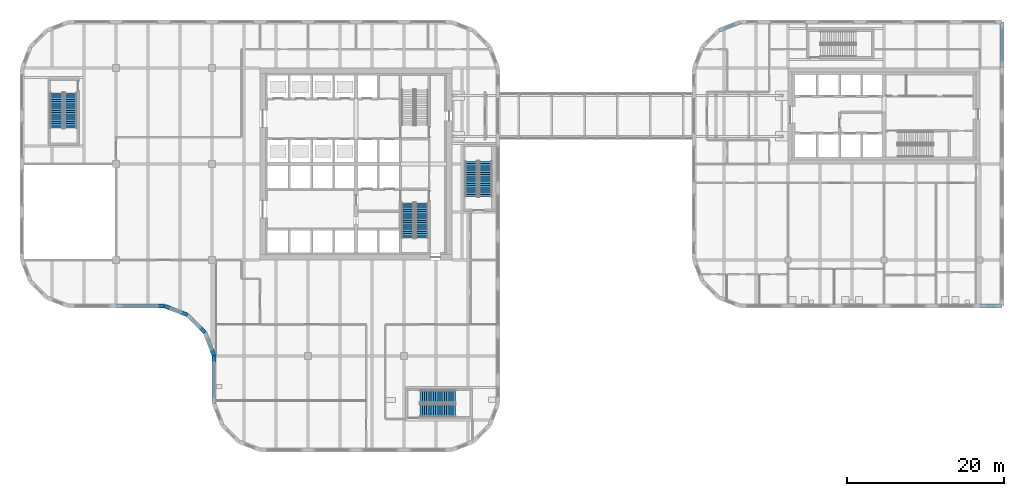
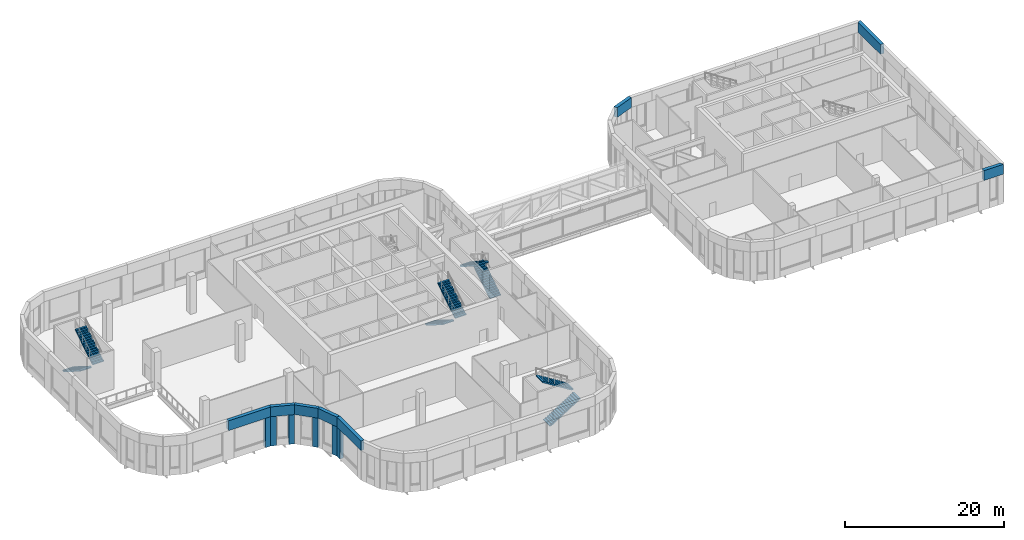
# One storey, part 31 of 36: 14 walls, 8 stair flights, 4 elements without a shape of their own.
"""IFC4 building model written with IfcOpenShell, lengths in metres."""

from ifc_helpers import new_model, si_unit, direction, frame, origin, place, context, subcontext, project, spatial, polyline, outline, extrude, faceted_brep, source, transform, mapped, material, layer, layer_set, type_object, element, aggregate, save


model = new_model("IFC4")

# Units and contexts
model_context = context("Model", 3, precision=1e-05, world=origin(), true_north=direction((0.0, 1.0)))
body_context = subcontext(model_context, "Body", "Model", "MODEL_VIEW")
ifc_project = project(units=[si_unit("LENGTHUNIT", "METRE"), si_unit("AREAUNIT", "SQUARE_METRE"), si_unit("VOLUMEUNIT", "CUBIC_METRE"), si_unit("PLANEANGLEUNIT", "RADIAN"), si_unit("MASSUNIT", "GRAM", prefix="KILO")], contexts=[model_context])

# Site, building, storey
site_placement = place(None, origin())
site = spatial("IfcSite", under=ifc_project, at=site_placement, CompositionType="ELEMENT")
building_placement = place(site_placement, origin())
building = spatial("IfcBuilding", under=site, at=building_placement, Name="Tessera Gate Towers", CompositionType="ELEMENT")
storey_placement = place(building_placement, frame((0.0, 0.0, 106.60009765625)))
storey = spatial("IfcBuildingStorey", under=building, at=storey_placement, Name="L26", CompositionType="ELEMENT", Elevation=106.60009765625)

# Walls
ifc_material_1 = material(Name="Precast concrete C60/75 white", Category="concrete")
ifc_layer = layer(ifc_material_1, 0.5)
ifc_layer_set = layer_set([ifc_layer], Name="RB1 ring band panel")
wall_type = type_object("IfcWallType", Name="RB1 ring band panel", PredefinedType="SOLIDWALL", material=ifc_layer_set)
shared_shape_1 = source(origin(), body_context, "Body", "Brep", [
    faceted_brep([(0.0, -0.25, 0.0), (0.75341796875, -0.25, 0.0), (0.75341796875, -0.25, 4.5), (0.0, -0.25, 4.5), (0.0, 0.25, 4.5), (0.800048828125, 0.25, 4.5), (0.800048828125, 0.25, 0.0), (0.0, 0.25, 0.0), (0.800048828125, 0.000244140625, 0.0), (0.800048828125, 0.000244140625, 4.5)], [[[0, 1, 2, 3]], [[4, 5, 6, 7]], [[7, 6, 8, 1, 0]], [[6, 5, 9, 8]], [[5, 4, 3, 2, 9]], [[4, 7, 0, 3]], [[1, 8, 9, 2]]]),
])
wall_1_placement = place(storey_placement, frame((17.546630859375, 18.550048828125, 0.0), z_axis=(0.0, 0.0, 1.0), x_axis=(1.0, 0.0, 0.0)))
element("IfcWall", 1, at=wall_1_placement, inside=storey, type_object=wall_type, Name="Ring band panel T1 RB1-0222", PredefinedType="SOLIDWALL", context=body_context, shape_type="MappedRepresentation", body=[
    mapped(shared_shape_1, transform((0.0, 0.0, 0.0), scale=1.0)),
])
shared_shape_2 = source(origin(), body_context, "Body", "Brep", [
    faceted_brep([(0.0, -0.25, 0.0), (6.10009765625, -0.25, 0.0), (6.10009765625, -0.25, 1.5), (0.0, -0.25, 1.5), (0.0, 0.25, 1.5), (6.146484375, 0.25, 1.5), (6.146484375, 0.25, 0.0), (0.0, 0.25, 0.0), (6.146484375, -0.000244140625, 0.0), (6.146484375, -0.000244140625, 1.5)], [[[0, 1, 2, 3]], [[4, 5, 6, 7]], [[7, 6, 8, 1, 0]], [[6, 5, 9, 8]], [[5, 4, 3, 2, 9]], [[4, 7, 0, 3]], [[1, 8, 9, 2]]]),
])
wall_2_placement = place(storey_placement, frame((12.199951171875, 18.550048828125, 4.5), z_axis=(0.0, 0.0, 1.0), x_axis=(1.0, 0.0, 0.0)))
element("IfcWall", 2, at=wall_2_placement, inside=storey, type_object=wall_type, Name="Ring band panel T1 RB1-0226", PredefinedType="SOLIDWALL", context=body_context, shape_type="MappedRepresentation", body=[
    mapped(shared_shape_2, transform((0.0, 0.0, 0.0), scale=1.0)),
])
shared_shape_3 = source(origin(), body_context, "Body", "Brep", [
    faceted_brep([(0.046630859375, -0.25, 0.0), (0.800048828125, -0.25, 0.0), (0.800048828125, -0.25, 4.5), (0.046630859375, -0.25, 4.5), (0.0, 0.25, 4.5), (0.800048828125, 0.25, 4.5), (0.800048828125, 0.25, 0.0), (0.0, 0.25, 0.0), (0.0, 0.0, 0.0), (0.0, 0.0, 4.5)], [[[0, 1, 2, 3]], [[4, 5, 6, 7]], [[7, 6, 1, 0, 8]], [[5, 4, 9, 3, 2]], [[4, 7, 8, 9]], [[8, 0, 3, 9]], [[1, 6, 5, 2]]]),
])
wall_3_placement = place(storey_placement, frame((18.346435546875, 18.550048828125, 0.0), z_axis=(0.0, 0.0, 1.0), x_axis=(0.932951894851, -0.360001058183, 0.0)))
element("IfcWall", 3, at=wall_3_placement, inside=storey, type_object=wall_type, Name="Ring band panel T1 RB1-0227", PredefinedType="SOLIDWALL", context=body_context, shape_type="MappedRepresentation", body=[
    mapped(shared_shape_3, transform((0.0, 0.0, 0.0), scale=1.0)),
])
shared_shape_4 = source(origin(), body_context, "Body", "Brep", [
    faceted_brep([(0.0, -0.25, 0.0), (0.7470703125, -0.25, 0.0), (0.7470703125, -0.25, 4.5), (0.0, -0.25, 4.5), (0.0, 0.25, 4.5), (0.800048828125, 0.25, 4.5), (0.800048828125, 0.25, 0.0), (0.0, 0.25, 0.0), (0.800048828125, 0.000244140625, 0.0), (0.800048828125, 0.000244140625, 4.5)], [[[0, 1, 2, 3]], [[4, 5, 6, 7]], [[7, 6, 8, 1, 0]], [[6, 5, 9, 8]], [[5, 4, 3, 2, 9]], [[4, 7, 0, 3]], [[1, 8, 9, 2]]]),
])
wall_4_placement = place(storey_placement, frame((20.53857421875, 17.704345703125, 0.0), z_axis=(0.0, 0.0, 1.0), x_axis=(0.93301483327, -0.3598379092, 0.0)))
element("IfcWall", 4, at=wall_4_placement, inside=storey, type_object=wall_type, Name="Ring band panel T1 RB1-0228", PredefinedType="SOLIDWALL", context=body_context, shape_type="MappedRepresentation", body=[
    mapped(shared_shape_4, transform((0.0, 0.0, 0.0), scale=1.0)),
])
shared_shape_5 = source(origin(), body_context, "Body", "Brep", [
    faceted_brep([(0.046630859375, -0.25, 0.0), (3.096435546875, -0.25, 0.0), (3.096435546875, -0.25, 1.5), (0.046630859375, -0.25, 1.5), (0.0, 0.25, 1.5), (3.1494140625, 0.25, 1.5), (3.1494140625, 0.25, 0.0), (0.0, 0.25, 0.0), (3.1494140625, -0.000244140625, 0.0), (0.0, 0.0, 0.0), (3.1494140625, -0.000244140625, 1.5), (0.0, 0.0, 1.5)], [[[0, 1, 2, 3]], [[4, 5, 6, 7]], [[7, 6, 8, 1, 0, 9]], [[6, 5, 10, 8]], [[5, 4, 11, 3, 2, 10]], [[4, 7, 9, 11]], [[9, 0, 3, 11]], [[1, 8, 10, 2]]]),
])
wall_5_placement = place(storey_placement, frame((18.346435546875, 18.550048828125, 4.5), z_axis=(0.0, 0.0, 1.0), x_axis=(0.932987528699, -0.35990869855, 0.0)))
element("IfcWall", 5, at=wall_5_placement, inside=storey, type_object=wall_type, Name="Ring band panel T1 RB1-0230", PredefinedType="SOLIDWALL", context=body_context, shape_type="MappedRepresentation", body=[
    mapped(shared_shape_5, transform((0.0, 0.0, 0.0), scale=1.0)),
])
shared_shape_6 = source(origin(), body_context, "Body", "Brep", [
    faceted_brep([(0.0, -0.25, 0.0), (0.7470703125, -0.25, 0.0), (0.7470703125, -0.25, 4.5), (0.0, -0.25, 4.5), (0.0, 0.25, 4.5), (0.800048828125, 0.25, 4.5), (0.800048828125, 0.25, 0.0), (0.0, 0.25, 0.0), (0.800048828125, 0.000244140625, 0.0), (0.800048828125, 0.000244140625, 4.5)], [[[0, 1, 2, 3]], [[4, 5, 6, 7]], [[7, 6, 8, 1, 0]], [[6, 5, 9, 8]], [[5, 4, 3, 2, 9]], [[4, 7, 0, 3]], [[1, 8, 9, 2]]]),
])
wall_6_placement = place(storey_placement, frame((22.950927734375, 15.750732421875, 0.0), z_axis=(0.0, 0.0, 1.0), x_axis=(0.707106781187, -0.707106781187, 0.0)))
element("IfcWall", 6, at=wall_6_placement, inside=storey, type_object=wall_type, Name="Ring band panel T1 RB1-0232", PredefinedType="SOLIDWALL", context=body_context, shape_type="MappedRepresentation", body=[
    mapped(shared_shape_6, transform((0.0, 0.0, 0.0), scale=1.0)),
])
shared_shape_7 = source(origin(), body_context, "Body", "Brep", [
    faceted_brep([(0.052978515625, -0.25, 0.0), (3.10302734375, -0.25, 0.0), (3.10302734375, -0.25, 1.5), (0.052978515625, -0.25, 1.5), (0.0, 0.25, 1.5), (3.15576171875, 0.25, 1.5), (3.15576171875, 0.25, 0.0), (0.0, 0.25, 0.0), (3.15576171875, -0.00048828125, 0.0), (0.0, 0.0, 0.0), (3.15576171875, -0.00048828125, 1.5), (0.0, 0.0, 1.5)], [[[0, 1, 2, 3]], [[4, 5, 6, 7]], [[7, 6, 8, 1, 0, 9]], [[6, 5, 10, 8]], [[5, 4, 11, 3, 2, 10]], [[4, 7, 9, 11]], [[9, 0, 3, 11]], [[1, 8, 10, 2]]]),
])
wall_7_placement = place(storey_placement, frame((21.284912109375, 17.41650390625, 4.5), z_axis=(0.0, 0.0, 1.0), x_axis=(0.707106781187, -0.707106781187, 0.0)))
element("IfcWall", 7, at=wall_7_placement, inside=storey, type_object=wall_type, Name="Ring band panel T1 RB1-0234", PredefinedType="SOLIDWALL", context=body_context, shape_type="MappedRepresentation", body=[
    mapped(shared_shape_7, transform((0.0, 0.0, 0.0), scale=1.0)),
])
shared_shape_8 = source(origin(), body_context, "Body", "Brep", [
    faceted_brep([(0.0, -0.25, 0.0), (0.75341796875, -0.25, 0.0), (0.75341796875, -0.25, 4.5), (0.0, -0.25, 4.5), (0.0, 0.25, 4.5), (0.800048828125, 0.25, 4.5), (0.800048828125, 0.25, 0.0), (0.0, 0.25, 0.0), (0.800048828125, 0.000244140625, 0.0), (0.800048828125, 0.000244140625, 4.5)], [[[0, 1, 2, 3]], [[4, 5, 6, 7]], [[7, 6, 8, 1, 0]], [[6, 5, 9, 8]], [[5, 4, 3, 2, 9]], [[4, 7, 0, 3]], [[1, 8, 9, 2]]]),
])
wall_8_placement = place(storey_placement, frame((24.362060546875, 12.992919921875, 0.0), z_axis=(0.0, 0.0, 1.0), x_axis=(0.3598379092, -0.93301483327, 0.0)))
element("IfcWall", 8, at=wall_8_placement, inside=storey, type_object=wall_type, Name="Ring band panel T1 RB1-0236", PredefinedType="SOLIDWALL", context=body_context, shape_type="MappedRepresentation", body=[
    mapped(shared_shape_8, transform((0.0, 0.0, 0.0), scale=1.0)),
])
shared_shape_9 = source(origin(), body_context, "Body", "Brep", [
    faceted_brep([(0.052978515625, -0.25, 0.0), (3.10302734375, -0.25, 0.0), (3.10302734375, -0.25, 1.5), (0.052978515625, -0.25, 1.5), (0.0, 0.25, 1.5), (3.1494140625, 0.25, 1.5), (3.1494140625, 0.25, 0.0), (0.0, 0.25, 0.0), (3.1494140625, -0.000244140625, 0.0), (0.0, 0.0, 0.0), (3.1494140625, -0.000244140625, 1.5), (0.0, 0.0, 1.5)], [[[0, 1, 2, 3]], [[4, 5, 6, 7]], [[7, 6, 8, 1, 0, 9]], [[6, 5, 10, 8]], [[5, 4, 11, 3, 2, 10]], [[4, 7, 9, 11]], [[9, 0, 3, 11]], [[1, 8, 10, 2]]]),
])
wall_9_placement = place(storey_placement, frame((23.5166015625, 15.18505859375, 4.5), z_axis=(0.0, 0.0, 1.0), x_axis=(0.359841220347, -0.933013556246, 0.0)))
element("IfcWall", 9, at=wall_9_placement, inside=storey, type_object=wall_type, Name="Ring band panel T1 RB1-0238", PredefinedType="SOLIDWALL", context=body_context, shape_type="MappedRepresentation", body=[
    mapped(shared_shape_9, transform((0.0, 0.0, 0.0), scale=1.0)),
])
shared_shape_10 = source(origin(), body_context, "Body", "Brep", [
    faceted_brep([(0.046630859375, -0.25, 0.0), (0.800048828125, -0.25, 0.0), (0.800048828125, -0.25, 4.5), (0.046630859375, -0.25, 4.5), (0.0, 0.25, 4.5), (0.800048828125, 0.25, 4.5), (0.800048828125, 0.25, 0.0), (0.0, 0.25, 0.0), (0.0, 0.0, 0.0), (0.0, 0.0, 4.5)], [[[0, 1, 2, 3]], [[4, 5, 6, 7]], [[7, 6, 1, 0, 8]], [[5, 4, 9, 3, 2]], [[4, 7, 8, 9]], [[8, 0, 3, 9]], [[1, 6, 5, 2]]]),
])
wall_10_placement = place(storey_placement, frame((24.64990234375, 12.24658203125, 0.0), z_axis=(0.0, 0.0, 1.0), x_axis=(0.0, -1.0, 0.0)))
element("IfcWall", 10, at=wall_10_placement, inside=storey, type_object=wall_type, Name="Ring band panel T1 RB1-0239", PredefinedType="SOLIDWALL", context=body_context, shape_type="MappedRepresentation", body=[
    mapped(shared_shape_10, transform((0.0, 0.0, 0.0), scale=1.0)),
])
shared_shape_11 = source(origin(), body_context, "Body", "Brep", [
    faceted_brep([(0.046630859375, -0.25, 0.0), (6.10009765625, -0.25, 0.0), (6.10009765625, -0.25, 1.5), (0.046630859375, -0.25, 1.5), (0.0, 0.25, 1.5), (6.053466796875, 0.25, 1.5), (6.053466796875, 0.25, 0.0), (0.0, 0.25, 0.0), (6.10009765625, -0.00048828125, 0.0), (0.0, 0.0, 0.0), (6.10009765625, -0.00048828125, 1.5), (0.0, 0.0, 1.5)], [[[0, 1, 2, 3]], [[4, 5, 6, 7]], [[7, 6, 8, 1, 0, 9]], [[10, 2, 1, 8]], [[5, 4, 11, 3, 2, 10]], [[4, 7, 9, 11]], [[9, 0, 3, 11]], [[8, 6, 5, 10]]]),
])
wall_11_placement = place(storey_placement, frame((24.64990234375, 12.24658203125, 4.5), z_axis=(0.0, 0.0, 1.0), x_axis=(0.0, -1.0, 0.0)))
element("IfcWall", 11, at=wall_11_placement, inside=storey, type_object=wall_type, Name="Ring band panel T1 RB1-0242", PredefinedType="SOLIDWALL", context=body_context, shape_type="MappedRepresentation", body=[
    mapped(shared_shape_11, transform((0.0, 0.0, 0.0), scale=1.0)),
])
shared_shape_12 = source(origin(), body_context, "Body", "Brep", [
    faceted_brep([(0.0, -0.25, 0.0), (2.800048828125, -0.25, 0.0), (2.800048828125, -0.25, 1.5), (0.0, -0.25, 1.5), (0.0, 0.25, 1.5), (2.550048828125, 0.25, 1.5), (2.550048828125, 0.25, 0.0), (0.0, 0.25, 0.0), (2.800048828125, 0.0, 0.0), (2.800048828125, 0.0, 1.5)], [[[0, 1, 2, 3]], [[4, 5, 6, 7]], [[7, 6, 8, 1, 0]], [[9, 2, 1, 8]], [[5, 4, 3, 2, 9]], [[4, 7, 0, 3]], [[8, 6, 5, 9]]]),
])
wall_12_placement = place(storey_placement, frame((122.0, 18.550048828125, 4.5), z_axis=(0.0, 0.0, 1.0), x_axis=(1.0, 0.0, 0.0)))
element("IfcWall", 12, at=wall_12_placement, inside=storey, type_object=wall_type, Name="Ring band panel T2 RB1-0041", PredefinedType="SOLIDWALL", context=body_context, shape_type="MappedRepresentation", body=[
    mapped(shared_shape_12, transform((0.0, 0.0, 0.0), scale=1.0)),
])
shared_shape_13 = source(origin(), body_context, "Body", "Brep", [
    faceted_brep([(0.0, -0.25, 0.0), (5.85009765625, -0.25, 0.0), (5.85009765625, -0.25, 1.5), (0.0, -0.25, 1.5), (0.0, 0.25, 1.5), (5.60009765625, 0.25, 1.5), (5.60009765625, 0.25, 0.0), (0.0, 0.25, 0.0), (5.85009765625, 0.0, 0.0), (5.85009765625, 0.0, 1.5)], [[[0, 1, 2, 3]], [[4, 5, 6, 7]], [[7, 6, 8, 1, 0]], [[9, 2, 1, 8]], [[5, 4, 3, 2, 9]], [[4, 7, 0, 3]], [[8, 6, 5, 9]]]),
])
wall_13_placement = place(storey_placement, frame((124.800048828125, 48.800048828125, 4.5), z_axis=(0.0, 0.0, 1.0), x_axis=(0.0, 1.0, 0.0)))
element("IfcWall", 13, at=wall_13_placement, inside=storey, type_object=wall_type, Name="Ring band panel T2 RB1-0060", PredefinedType="SOLIDWALL", context=body_context, shape_type="MappedRepresentation", body=[
    mapped(shared_shape_13, transform((0.0, 0.0, 0.0), scale=1.0)),
])
shared_shape_14 = source(origin(), body_context, "Body", "Brep", [
    faceted_brep([(0.0, -0.25, 0.0), (2.950439453125, -0.25, 0.0), (2.950439453125, -0.25, 1.5), (0.0, -0.25, 1.5), (0.046630859375, 0.25, 1.5), (2.897705078125, 0.25, 1.5), (2.897705078125, 0.25, 0.0), (0.046630859375, 0.25, 0.0), (2.950439453125, 0.00048828125, 0.0), (0.0, 0.0, 0.0), (2.950439453125, 0.00048828125, 1.5), (0.0, 0.0, 1.5)], [[[0, 1, 2, 3]], [[4, 5, 6, 7]], [[7, 6, 8, 1, 0, 9]], [[10, 2, 1, 8]], [[5, 4, 11, 3, 2, 10]], [[9, 0, 3, 11]], [[7, 9, 11, 4]], [[8, 6, 5, 10]]]),
])
wall_14_placement = place(storey_placement, frame((91.546630859375, 54.64990234375, 4.5), z_axis=(0.0, 0.0, 1.0), x_axis=(-0.933010389544, -0.359849431015, 0.0)))
element("IfcWall", 14, at=wall_14_placement, inside=storey, type_object=wall_type, Name="Ring band panel T2 RB1-0083", PredefinedType="SOLIDWALL", context=body_context, shape_type="MappedRepresentation", body=[
    mapped(shared_shape_14, transform((0.0, 0.0, 0.0), scale=1.0)),
])

# Stair, stair flights
ifc_material_2 = material(Name="Concrete C40/50", Category="concrete")
stair_type_1 = type_object("IfcStairType", Name="EXIT STAIR ST1C 1600", PredefinedType="HALF_TURN_STAIR", material=ifc_material_2)
stair_1_placement = place(storey_placement, origin())
stair_1 = element("IfcStair", 15, at=stair_1_placement, inside=storey, type_object=stair_type_1, Name="L26 Protected Exit Stair ST1", PredefinedType="HALF_TURN_STAIR")
ifc_material_3 = material(Name="Concrete C40/50", Category="concrete")
stair_flight_type_1 = type_object("IfcStairFlightType", Name="EXIT STAIR FLIGHT ST1C 1600", PredefinedType="STRAIGHT", material=ifc_material_3)
stair_flight_1_placement = place(storey_placement, frame((49.27490234375, 31.675048828125, 0.0), z_axis=(0.0, 0.0, 1.0), x_axis=(0.0, -1.0, 0.0)))
stair_flight_1 = element("IfcStairFlight", 16, at=stair_flight_1_placement, type_object=stair_flight_type_1, Name="ST1 flight 1", NumberOfRisers=17, NumberOfTreads=16, PredefinedType="STRAIGHT", RiserHeight=0.176470588, TreadLength=0.28, context=body_context, shape_type="SweptSolid", body=[
    extrude(outline(polyline([(0.0, 0.0), (0.0, 0.176513671875), (0.280029296875, 0.176513671875), (0.280029296875, 0.35302734375), (0.56005859375, 0.35302734375), (0.56005859375, 0.529296875), (0.840087890625, 0.529296875), (0.840087890625, 0.705810546875), (1.1201171875, 0.705810546875), (1.1201171875, 0.88232421875), (1.39990234375, 0.88232421875), (1.39990234375, 1.058837890625), (1.679931640625, 1.058837890625), (1.679931640625, 1.2353515625), (1.9599609375, 1.2353515625), (1.9599609375, 1.411865234375), (2.239990234375, 1.411865234375), (2.239990234375, 1.588134765625), (2.52001953125, 1.588134765625), (2.52001953125, 1.7646484375), (2.800048828125, 1.7646484375), (2.800048828125, 1.941162109375), (3.080078125, 1.941162109375), (3.080078125, 2.11767578125), (3.360107421875, 2.11767578125), (3.360107421875, 2.294189453125), (3.639892578125, 2.294189453125), (3.639892578125, 2.470703125), (3.919921875, 2.470703125), (3.919921875, 2.64697265625), (4.199951171875, 2.64697265625), (4.199951171875, 2.823486328125), (4.47998046875, 2.823486328125), (4.47998046875, 3.0), (4.47998046875, 2.646240234375), (0.28125, 0.0), (0.0, 0.0)])), frame((0.0, 0.800048828125, 0.0), z_axis=(0.0, -1.0, 0.0), x_axis=(1.0, 0.0, 0.0)), (0.0, 0.0, 1.0), 1.60009765625),
])
stair_flight_2_placement = place(storey_placement, frame((51.074951171875, 27.195068359375, 3.0), z_axis=(0.0, 0.0, 1.0), x_axis=(0.0, 1.0, 0.0)))
stair_flight_2 = element("IfcStairFlight", 17, at=stair_flight_2_placement, type_object=stair_flight_type_1, Name="ST1 flight 2", NumberOfRisers=17, NumberOfTreads=16, PredefinedType="STRAIGHT", RiserHeight=0.176470588, TreadLength=0.28, context=body_context, shape_type="SweptSolid", body=[
    extrude(outline(polyline([(0.0, 0.0), (0.0, 0.176513671875), (0.280029296875, 0.176513671875), (0.280029296875, 0.35302734375), (0.56005859375, 0.35302734375), (0.56005859375, 0.529296875), (0.840087890625, 0.529296875), (0.840087890625, 0.705810546875), (1.1201171875, 0.705810546875), (1.1201171875, 0.88232421875), (1.39990234375, 0.88232421875), (1.39990234375, 1.058837890625), (1.679931640625, 1.058837890625), (1.679931640625, 1.2353515625), (1.9599609375, 1.2353515625), (1.9599609375, 1.411865234375), (2.239990234375, 1.411865234375), (2.239990234375, 1.588134765625), (2.52001953125, 1.588134765625), (2.52001953125, 1.7646484375), (2.800048828125, 1.7646484375), (2.800048828125, 1.941162109375), (3.080078125, 1.941162109375), (3.080078125, 2.11767578125), (3.360107421875, 2.11767578125), (3.360107421875, 2.294189453125), (3.639892578125, 2.294189453125), (3.639892578125, 2.470703125), (3.919921875, 2.470703125), (3.919921875, 2.64697265625), (4.199951171875, 2.64697265625), (4.199951171875, 2.823486328125), (4.47998046875, 2.823486328125), (4.47998046875, 3.0), (4.47998046875, 2.646240234375), (0.28125, 0.0), (0.0, 0.0)])), frame((0.0, 0.800048828125, 0.0), z_axis=(0.0, -1.0, 0.0), x_axis=(1.0, 0.0, 0.0)), (0.0, 0.0, 1.0), 1.60009765625),
])
aggregate(stair_1, [stair_flight_1, stair_flight_2])

ifc_material_4 = material(Name="Concrete C40/50", Category="concrete")
stair_type_2 = type_object("IfcStairType", Name="EXIT STAIR ST3E 1600", PredefinedType="HALF_TURN_STAIR", material=ifc_material_4)
stair_2_placement = place(storey_placement, origin())
stair_2 = element("IfcStair", 18, at=stair_2_placement, inside=storey, type_object=stair_type_2, Name="L26 West Exit Stair ST3", PredefinedType="HALF_TURN_STAIR")
ifc_material_5 = material(Name="Concrete C40/50", Category="concrete")
stair_flight_type_2 = type_object("IfcStairFlightType", Name="EXIT STAIR FLIGHT ST3E 1600", PredefinedType="STRAIGHT", material=ifc_material_5)
stair_flight_3_placement = place(storey_placement, frame((4.64990234375, 45.64990234375, 0.0), z_axis=(0.0, 0.0, 1.0), x_axis=(0.0, -1.0, 0.0)))
stair_flight_3 = element("IfcStairFlight", 19, at=stair_flight_3_placement, type_object=stair_flight_type_2, Name="ST3 flight 1", NumberOfRisers=17, NumberOfTreads=16, PredefinedType="STRAIGHT", RiserHeight=0.176470588, TreadLength=0.28, context=body_context, shape_type="SweptSolid", body=[
    extrude(outline(polyline([(0.0, 0.0), (0.0, 0.176513671875), (0.280029296875, 0.176513671875), (0.280029296875, 0.35302734375), (0.56005859375, 0.35302734375), (0.56005859375, 0.529296875), (0.840087890625, 0.529296875), (0.840087890625, 0.705810546875), (1.1201171875, 0.705810546875), (1.1201171875, 0.88232421875), (1.39990234375, 0.88232421875), (1.39990234375, 1.058837890625), (1.679931640625, 1.058837890625), (1.679931640625, 1.2353515625), (1.9599609375, 1.2353515625), (1.9599609375, 1.411865234375), (2.239990234375, 1.411865234375), (2.239990234375, 1.588134765625), (2.52001953125, 1.588134765625), (2.52001953125, 1.7646484375), (2.800048828125, 1.7646484375), (2.800048828125, 1.941162109375), (3.080078125, 1.941162109375), (3.080078125, 2.11767578125), (3.360107421875, 2.11767578125), (3.360107421875, 2.294189453125), (3.639892578125, 2.294189453125), (3.639892578125, 2.470703125), (3.919921875, 2.470703125), (3.919921875, 2.64697265625), (4.199951171875, 2.64697265625), (4.199951171875, 2.823486328125), (4.47998046875, 2.823486328125), (4.47998046875, 3.0), (4.47998046875, 2.646240234375), (0.28125, 0.0), (0.0, 0.0)])), frame((0.0, 0.800048828125, 0.0), z_axis=(0.0, -1.0, 0.0), x_axis=(1.0, 0.0, 0.0)), (0.0, 0.0, 1.0), 1.60009765625),
])
stair_flight_4_placement = place(storey_placement, frame((6.449951171875, 41.169921875, 3.0), z_axis=(0.0, 0.0, 1.0), x_axis=(0.0, 1.0, 0.0)))
stair_flight_4 = element("IfcStairFlight", 20, at=stair_flight_4_placement, type_object=stair_flight_type_2, Name="ST3 flight 2", NumberOfRisers=17, NumberOfTreads=16, PredefinedType="STRAIGHT", RiserHeight=0.176470588, TreadLength=0.28, context=body_context, shape_type="SweptSolid", body=[
    extrude(outline(polyline([(0.0, 0.0), (0.0, 0.176513671875), (0.280029296875, 0.176513671875), (0.280029296875, 0.35302734375), (0.56005859375, 0.35302734375), (0.56005859375, 0.529296875), (0.840087890625, 0.529296875), (0.840087890625, 0.705810546875), (1.1201171875, 0.705810546875), (1.1201171875, 0.88232421875), (1.39990234375, 0.88232421875), (1.39990234375, 1.058837890625), (1.679931640625, 1.058837890625), (1.679931640625, 1.2353515625), (1.9599609375, 1.2353515625), (1.9599609375, 1.411865234375), (2.239990234375, 1.411865234375), (2.239990234375, 1.588134765625), (2.52001953125, 1.588134765625), (2.52001953125, 1.7646484375), (2.800048828125, 1.7646484375), (2.800048828125, 1.941162109375), (3.080078125, 1.941162109375), (3.080078125, 2.11767578125), (3.360107421875, 2.11767578125), (3.360107421875, 2.294189453125), (3.639892578125, 2.294189453125), (3.639892578125, 2.470703125), (3.919921875, 2.470703125), (3.919921875, 2.64697265625), (4.199951171875, 2.64697265625), (4.199951171875, 2.823486328125), (4.47998046875, 2.823486328125), (4.47998046875, 3.0), (4.47998046875, 2.646240234375), (0.28125, 0.0), (0.0, 0.0)])), frame((0.0, 0.800048828125, 0.0), z_axis=(0.0, -1.0, 0.0), x_axis=(1.0, 0.0, 0.0)), (0.0, 0.0, 1.0), 1.60009765625),
])
aggregate(stair_2, [stair_flight_3, stair_flight_4])

ifc_material_6 = material(Name="Concrete C40/50", Category="concrete")
stair_type_3 = type_object("IfcStairType", Name="EXIT STAIR ST4E 1600", PredefinedType="HALF_TURN_STAIR", material=ifc_material_6)
stair_3_placement = place(storey_placement, origin())
stair_3 = element("IfcStair", 21, at=stair_3_placement, inside=storey, type_object=stair_type_3, Name="L26 South Exit Stair ST4", PredefinedType="HALF_TURN_STAIR")
ifc_material_7 = material(Name="Concrete C40/50", Category="concrete")
stair_flight_type_3 = type_object("IfcStairFlightType", Name="EXIT STAIR FLIGHT ST4E 1600", PredefinedType="STRAIGHT", material=ifc_material_7)
stair_flight_5_placement = place(storey_placement, frame((50.85009765625, 5.25, 0.0), z_axis=(0.0, 0.0, 1.0), x_axis=(1.0, 0.0, 0.0)))
stair_flight_5 = element("IfcStairFlight", 22, at=stair_flight_5_placement, type_object=stair_flight_type_3, Name="ST4 flight 1", NumberOfRisers=17, NumberOfTreads=16, PredefinedType="STRAIGHT", RiserHeight=0.176470588, TreadLength=0.28, context=body_context, shape_type="SweptSolid", body=[
    extrude(outline(polyline([(0.0, 0.0), (0.0, 0.176513671875), (0.280029296875, 0.176513671875), (0.280029296875, 0.35302734375), (0.56005859375, 0.35302734375), (0.56005859375, 0.529296875), (0.840087890625, 0.529296875), (0.840087890625, 0.705810546875), (1.1201171875, 0.705810546875), (1.1201171875, 0.88232421875), (1.39990234375, 0.88232421875), (1.39990234375, 1.058837890625), (1.679931640625, 1.058837890625), (1.679931640625, 1.2353515625), (1.9599609375, 1.2353515625), (1.9599609375, 1.411865234375), (2.239990234375, 1.411865234375), (2.239990234375, 1.588134765625), (2.52001953125, 1.588134765625), (2.52001953125, 1.7646484375), (2.800048828125, 1.7646484375), (2.800048828125, 1.941162109375), (3.080078125, 1.941162109375), (3.080078125, 2.11767578125), (3.360107421875, 2.11767578125), (3.360107421875, 2.294189453125), (3.639892578125, 2.294189453125), (3.639892578125, 2.470703125), (3.919921875, 2.470703125), (3.919921875, 2.64697265625), (4.199951171875, 2.64697265625), (4.199951171875, 2.823486328125), (4.47998046875, 2.823486328125), (4.47998046875, 3.0), (4.47998046875, 2.646240234375), (0.28125, 0.0), (0.0, 0.0)])), frame((0.0, 0.800048828125, 0.0), z_axis=(0.0, -1.0, 0.0), x_axis=(1.0, 0.0, 0.0)), (0.0, 0.0, 1.0), 1.60009765625),
])
stair_flight_6_placement = place(storey_placement, frame((55.330078125, 7.050048828125, 3.0), z_axis=(0.0, 0.0, 1.0), x_axis=(-1.0, 0.0, 0.0)))
stair_flight_6 = element("IfcStairFlight", 23, at=stair_flight_6_placement, type_object=stair_flight_type_3, Name="ST4 flight 2", NumberOfRisers=17, NumberOfTreads=16, PredefinedType="STRAIGHT", RiserHeight=0.176470588, TreadLength=0.28, context=body_context, shape_type="SweptSolid", body=[
    extrude(outline(polyline([(0.0, 0.0), (0.0, 0.176513671875), (0.280029296875, 0.176513671875), (0.280029296875, 0.35302734375), (0.56005859375, 0.35302734375), (0.56005859375, 0.529296875), (0.840087890625, 0.529296875), (0.840087890625, 0.705810546875), (1.1201171875, 0.705810546875), (1.1201171875, 0.88232421875), (1.39990234375, 0.88232421875), (1.39990234375, 1.058837890625), (1.679931640625, 1.058837890625), (1.679931640625, 1.2353515625), (1.9599609375, 1.2353515625), (1.9599609375, 1.411865234375), (2.239990234375, 1.411865234375), (2.239990234375, 1.588134765625), (2.52001953125, 1.588134765625), (2.52001953125, 1.7646484375), (2.800048828125, 1.7646484375), (2.800048828125, 1.941162109375), (3.080078125, 1.941162109375), (3.080078125, 2.11767578125), (3.360107421875, 2.11767578125), (3.360107421875, 2.294189453125), (3.639892578125, 2.294189453125), (3.639892578125, 2.470703125), (3.919921875, 2.470703125), (3.919921875, 2.64697265625), (4.199951171875, 2.64697265625), (4.199951171875, 2.823486328125), (4.47998046875, 2.823486328125), (4.47998046875, 3.0), (4.47998046875, 2.646240234375), (0.28125, 0.0), (0.0, 0.0)])), frame((0.0, 0.800048828125, 0.0), z_axis=(0.0, -1.0, 0.0), x_axis=(1.0, 0.0, 0.0)), (0.0, 0.0, 1.0), 1.60009765625),
])
aggregate(stair_3, [stair_flight_5, stair_flight_6])

ifc_material_8 = material(Name="Concrete C40/50", Category="concrete")
stair_type_4 = type_object("IfcStairType", Name="EXIT STAIR ST5E 1600", PredefinedType="HALF_TURN_STAIR", material=ifc_material_8)
stair_4_placement = place(storey_placement, origin())
stair_4 = element("IfcStair", 24, at=stair_4_placement, inside=storey, type_object=stair_type_4, Name="L26 East Exit Stair ST5", PredefinedType="HALF_TURN_STAIR")
ifc_material_9 = material(Name="Concrete C40/50", Category="concrete")
stair_flight_type_4 = type_object("IfcStairFlightType", Name="EXIT STAIR FLIGHT ST5E 1600", PredefinedType="STRAIGHT", material=ifc_material_9)
stair_flight_7_placement = place(storey_placement, frame((59.14990234375, 32.449951171875, 0.0), z_axis=(0.0, 0.0, 1.0), x_axis=(0.0, 1.0, 0.0)))
stair_flight_7 = element("IfcStairFlight", 25, at=stair_flight_7_placement, type_object=stair_flight_type_4, Name="ST5 flight 1", NumberOfRisers=17, NumberOfTreads=16, PredefinedType="STRAIGHT", RiserHeight=0.176470588, TreadLength=0.28, context=body_context, shape_type="SweptSolid", body=[
    extrude(outline(polyline([(0.0, 0.0), (0.0, 0.176513671875), (0.280029296875, 0.176513671875), (0.280029296875, 0.35302734375), (0.56005859375, 0.35302734375), (0.56005859375, 0.529296875), (0.840087890625, 0.529296875), (0.840087890625, 0.705810546875), (1.1201171875, 0.705810546875), (1.1201171875, 0.88232421875), (1.39990234375, 0.88232421875), (1.39990234375, 1.058837890625), (1.679931640625, 1.058837890625), (1.679931640625, 1.2353515625), (1.9599609375, 1.2353515625), (1.9599609375, 1.411865234375), (2.239990234375, 1.411865234375), (2.239990234375, 1.588134765625), (2.52001953125, 1.588134765625), (2.52001953125, 1.7646484375), (2.800048828125, 1.7646484375), (2.800048828125, 1.941162109375), (3.080078125, 1.941162109375), (3.080078125, 2.11767578125), (3.360107421875, 2.11767578125), (3.360107421875, 2.294189453125), (3.639892578125, 2.294189453125), (3.639892578125, 2.470703125), (3.919921875, 2.470703125), (3.919921875, 2.64697265625), (4.199951171875, 2.64697265625), (4.199951171875, 2.823486328125), (4.47998046875, 2.823486328125), (4.47998046875, 3.0), (4.47998046875, 2.646240234375), (0.28125, 0.0), (0.0, 0.0)])), frame((0.0, 0.800048828125, 0.0), z_axis=(0.0, -1.0, 0.0), x_axis=(1.0, 0.0, 0.0)), (0.0, 0.0, 1.0), 1.60009765625),
])
stair_flight_8_placement = place(storey_placement, frame((57.35009765625, 36.929931640625, 3.0), z_axis=(0.0, 0.0, 1.0), x_axis=(0.0, -1.0, 0.0)))
stair_flight_8 = element("IfcStairFlight", 26, at=stair_flight_8_placement, type_object=stair_flight_type_4, Name="ST5 flight 2", NumberOfRisers=17, NumberOfTreads=16, PredefinedType="STRAIGHT", RiserHeight=0.176470588, TreadLength=0.28, context=body_context, shape_type="SweptSolid", body=[
    extrude(outline(polyline([(0.0, 0.0), (0.0, 0.176513671875), (0.280029296875, 0.176513671875), (0.280029296875, 0.35302734375), (0.56005859375, 0.35302734375), (0.56005859375, 0.529296875), (0.840087890625, 0.529296875), (0.840087890625, 0.705810546875), (1.1201171875, 0.705810546875), (1.1201171875, 0.88232421875), (1.39990234375, 0.88232421875), (1.39990234375, 1.058837890625), (1.679931640625, 1.058837890625), (1.679931640625, 1.2353515625), (1.9599609375, 1.2353515625), (1.9599609375, 1.411865234375), (2.239990234375, 1.411865234375), (2.239990234375, 1.588134765625), (2.52001953125, 1.588134765625), (2.52001953125, 1.7646484375), (2.800048828125, 1.7646484375), (2.800048828125, 1.941162109375), (3.080078125, 1.941162109375), (3.080078125, 2.11767578125), (3.360107421875, 2.11767578125), (3.360107421875, 2.294189453125), (3.639892578125, 2.294189453125), (3.639892578125, 2.470703125), (3.919921875, 2.470703125), (3.919921875, 2.64697265625), (4.199951171875, 2.64697265625), (4.199951171875, 2.823486328125), (4.47998046875, 2.823486328125), (4.47998046875, 3.0), (4.47998046875, 2.646240234375), (0.28125, 0.0), (0.0, 0.0)])), frame((0.0, 0.800048828125, 0.0), z_axis=(0.0, -1.0, 0.0), x_axis=(1.0, 0.0, 0.0)), (0.0, 0.0, 1.0), 1.60009765625),
])
aggregate(stair_4, [stair_flight_7, stair_flight_8])

save(model, "model.ifc")
